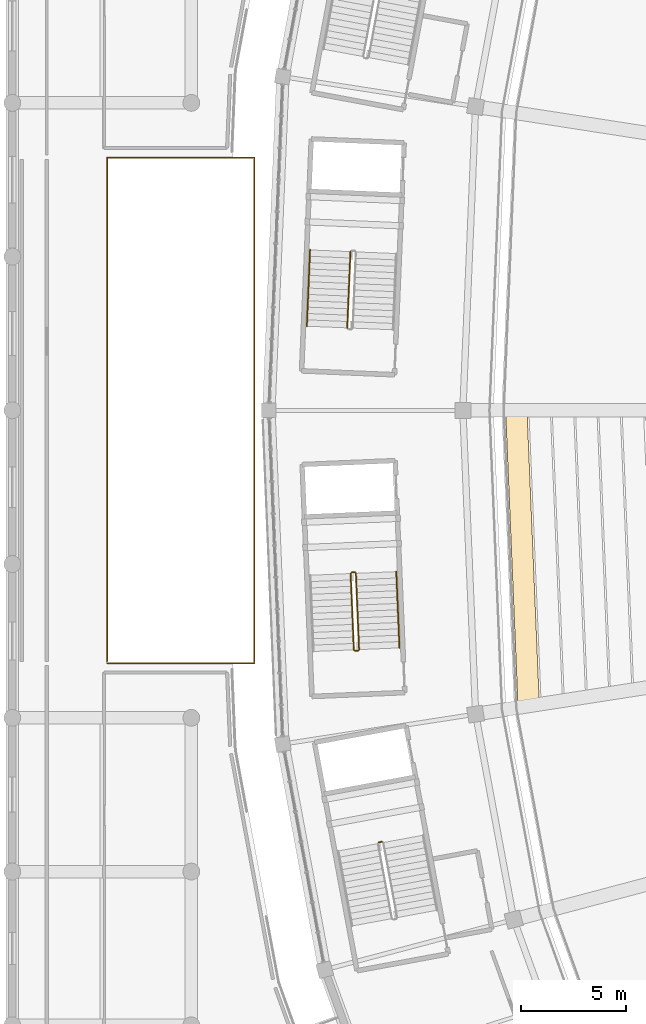
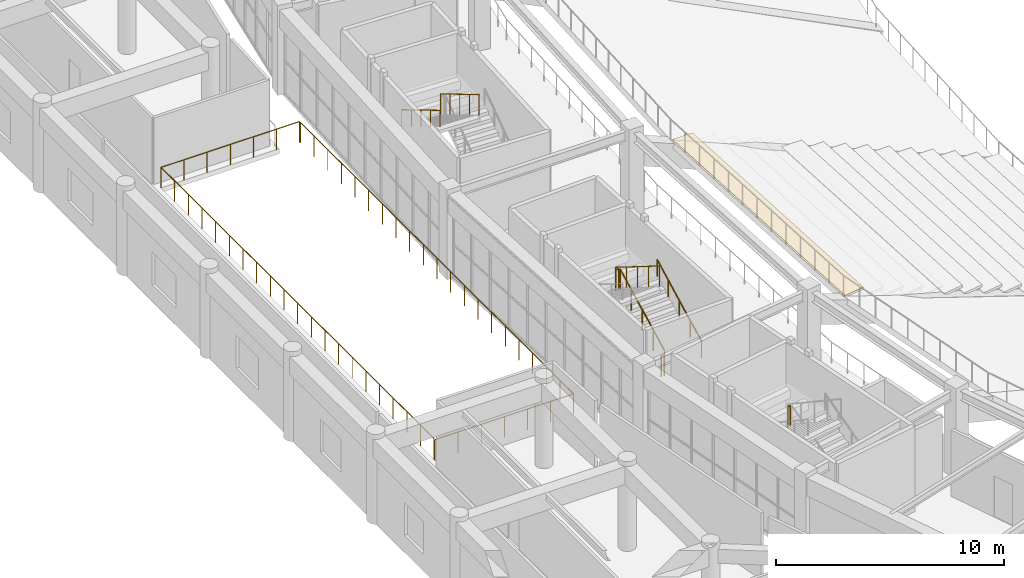
# One storey, part 118 of 137: 10 railings, 1 covering.
"""IFC4 building model written with IfcOpenShell, lengths in metres."""

from ifc_helpers import new_model, si_unit, direction, frame, origin, origin_2d, place, context, subcontext, project, spatial, polyline, circle, outline, extrude, material, layer, layer_set, type_object, element, save


model = new_model("IFC4")

# Units and contexts
model_context = context("Model", 3, precision=1e-05, world=origin(), true_north=direction((0.0, 1.0)))
body_context = subcontext(model_context, "Body", "Model", "MODEL_VIEW")
ifc_project = project(units=[si_unit("LENGTHUNIT", "METRE"), si_unit("AREAUNIT", "SQUARE_METRE"), si_unit("VOLUMEUNIT", "CUBIC_METRE"), si_unit("PLANEANGLEUNIT", "RADIAN"), si_unit("MASSUNIT", "GRAM", prefix="KILO")], contexts=[model_context])

# Site, building, storey
site_placement = place(None, origin())
site = spatial("IfcSite", under=ifc_project, at=site_placement, CompositionType="ELEMENT")
building_placement = place(site_placement, origin())
building = spatial("IfcBuilding", under=site, at=building_placement, Name="Mphavela Belvedere Stadium", CompositionType="ELEMENT")
storey_placement = place(building_placement, frame((0.0, 0.0, 19.199951171875)))
storey = spatial("IfcBuildingStorey", under=building, at=storey_placement, Name="L04", CompositionType="ELEMENT", Elevation=19.199951171875)

# Covering
ifc_material_1 = material(Name="Precast seating row terrazzo finish", Category="concrete")
ifc_layer = layer(ifc_material_1, 0.1201171875)
ifc_layer_set = layer_set([ifc_layer], Name="Precast seating row terrazzo finish")
covering_type = type_object("IfcCoveringType", Name="COV-SEAT-ROW-U", PredefinedType="FLOORING", material=ifc_layer_set)
covering_placement = place(storey_placement, frame((0.0, 0.0, 3.130126953125)))
element("IfcCovering", 1, at=covering_placement, inside=storey, type_object=covering_type, Name="Upper stand seating row bench B25-R15", PredefinedType="FLOORING", context=body_context, shape_type="SweptSolid", body=[
    extrude(outline(polyline([(24.44091796875, 87.0), (25.026123046875, 73.04443359375), (24.015380859375, 72.8876953125), (23.423583984375, 87.0), (24.44091796875, 87.0)])), origin(), (0.0, 0.0, 1.0), 0.119873046875),
])

# Railings
ifc_material_2 = material(Name="Bronze and laminated glass stadium balustrade", Category="glass")
railing_type_1 = type_object("IfcRailingType", Name="RAL-BALUSTRADE-1120", PredefinedType="BALUSTRADE", material=ifc_material_2)
railing_1_placement = place(storey_placement, frame((4.5, 75.0, 0.0)))
element("IfcRailing", 2, at=railing_1_placement, inside=storey, type_object=railing_type_1, Name="West Planted Eaves Peristyle Colonnade court balustrade L04-A", PredefinedType="BALUSTRADE", context=body_context, shape_type="SweptSolid", body=[
    extrude(circle(Radius=0.02392578125, at=origin_2d()), frame((0.0, 0.0, 1.09619140625), z_axis=(1.0, 0.0, 0.0), x_axis=(0.0, 1.0, 0.0)), (0.0, 0.0, 1.0), 7.0),
    extrude(circle(Radius=0.02392578125, at=origin_2d()), frame((7.0, 0.0, 1.09619140625), z_axis=(0.0, 1.0, 0.0), x_axis=(-1.0, 0.0, 0.0)), (0.0, 0.0, 1.0), 23.919921875),
    extrude(circle(Radius=0.02099609375, at=origin_2d()), origin(), (0.0, 0.0, 1.0), 1.072021484375),
    extrude(circle(Radius=0.02099609375, at=origin_2d()), frame((1.166748046875, 0.0, 0.0)), (0.0, 0.0, 1.0), 1.072021484375),
    extrude(circle(Radius=0.02099609375, at=origin_2d()), frame((2.333251953125, 0.0, 0.0)), (0.0, 0.0, 1.0), 1.072021484375),
    extrude(circle(Radius=0.02099609375, at=origin_2d()), frame((3.5, 0.0, 0.0)), (0.0, 0.0, 1.0), 1.072021484375),
    extrude(circle(Radius=0.02099609375, at=origin_2d()), frame((4.666748046875, 0.0, 0.0)), (0.0, 0.0, 1.0), 1.072021484375),
    extrude(circle(Radius=0.02099609375, at=origin_2d()), frame((5.833251953125, 0.0, 0.0)), (0.0, 0.0, 1.0), 1.072021484375),
    extrude(circle(Radius=0.02099609375, at=origin_2d()), frame((7.0, 0.0, 0.0)), (0.0, 0.0, 1.0), 1.072021484375),
    extrude(circle(Radius=0.02099609375, at=origin_2d()), frame((7.0, 1.196044921875, 0.0)), (0.0, 0.0, 1.0), 1.072021484375),
    extrude(circle(Radius=0.02099609375, at=origin_2d()), frame((7.0, 2.39208984375, 0.0)), (0.0, 0.0, 1.0), 1.072021484375),
    extrude(circle(Radius=0.02099609375, at=origin_2d()), frame((7.0, 3.587890625, 0.0)), (0.0, 0.0, 1.0), 1.072021484375),
    extrude(circle(Radius=0.02099609375, at=origin_2d()), frame((7.0, 4.783935546875, 0.0)), (0.0, 0.0, 1.0), 1.072021484375),
    extrude(circle(Radius=0.02099609375, at=origin_2d()), frame((7.0, 5.97998046875, 0.0)), (0.0, 0.0, 1.0), 1.072021484375),
    extrude(circle(Radius=0.02099609375, at=origin_2d()), frame((7.0, 7.176025390625, 0.0)), (0.0, 0.0, 1.0), 1.072021484375),
    extrude(circle(Radius=0.02099609375, at=origin_2d()), frame((7.0, 8.3720703125, 0.0)), (0.0, 0.0, 1.0), 1.072021484375),
    extrude(circle(Radius=0.02099609375, at=origin_2d()), frame((7.0, 9.56787109375, 0.0)), (0.0, 0.0, 1.0), 1.072021484375),
    extrude(circle(Radius=0.02099609375, at=origin_2d()), frame((7.0, 10.763916015625, 0.0)), (0.0, 0.0, 1.0), 1.072021484375),
    extrude(circle(Radius=0.02099609375, at=origin_2d()), frame((7.0, 11.9599609375, 0.0)), (0.0, 0.0, 1.0), 1.072021484375),
    extrude(circle(Radius=0.02099609375, at=origin_2d()), frame((7.0, 13.156005859375, 0.0)), (0.0, 0.0, 1.0), 1.072021484375),
    extrude(circle(Radius=0.02099609375, at=origin_2d()), frame((7.0, 14.35205078125, 0.0)), (0.0, 0.0, 1.0), 1.072021484375),
    extrude(circle(Radius=0.02099609375, at=origin_2d()), frame((7.0, 15.5478515625, 0.0)), (0.0, 0.0, 1.0), 1.072021484375),
    extrude(circle(Radius=0.02099609375, at=origin_2d()), frame((7.0, 16.743896484375, 0.0)), (0.0, 0.0, 1.0), 1.072021484375),
    extrude(circle(Radius=0.02099609375, at=origin_2d()), frame((7.0, 17.93994140625, 0.0)), (0.0, 0.0, 1.0), 1.072021484375),
    extrude(circle(Radius=0.02099609375, at=origin_2d()), frame((7.0, 19.135986328125, 0.0)), (0.0, 0.0, 1.0), 1.072021484375),
    extrude(circle(Radius=0.02099609375, at=origin_2d()), frame((7.0, 20.33203125, 0.0)), (0.0, 0.0, 1.0), 1.072021484375),
    extrude(circle(Radius=0.02099609375, at=origin_2d()), frame((7.0, 21.52783203125, 0.0)), (0.0, 0.0, 1.0), 1.072021484375),
    extrude(circle(Radius=0.02099609375, at=origin_2d()), frame((7.0, 22.723876953125, 0.0)), (0.0, 0.0, 1.0), 1.072021484375),
    extrude(circle(Radius=0.02099609375, at=origin_2d()), frame((7.0, 23.919921875, 0.0)), (0.0, 0.0, 1.0), 1.072021484375),
])
railing_2_placement = place(storey_placement, frame((11.5, 99.0, 0.0)))
element("IfcRailing", 3, at=railing_2_placement, inside=storey, type_object=railing_type_1, Name="West Planted Eaves Peristyle Colonnade court balustrade L04-B", PredefinedType="BALUSTRADE", context=body_context, shape_type="SweptSolid", body=[
    extrude(circle(Radius=0.02392578125, at=origin_2d()), frame((0.0, 0.0, 1.09619140625), z_axis=(-1.0, 0.0, 0.0), x_axis=(0.0, -1.0, 0.0)), (0.0, 0.0, 1.0), 7.0),
    extrude(circle(Radius=0.02392578125, at=origin_2d()), frame((-7.0, 0.0, 1.09619140625), z_axis=(0.0, -1.0, 0.0), x_axis=(1.0, 0.0, 0.0)), (0.0, 0.0, 1.0), 23.919921875),
    extrude(circle(Radius=0.02099609375, at=origin_2d()), origin(), (0.0, 0.0, 1.0), 1.072021484375),
    extrude(circle(Radius=0.02099609375, at=origin_2d()), frame((-1.166748046875, 0.0, 0.0)), (0.0, 0.0, 1.0), 1.072021484375),
    extrude(circle(Radius=0.02099609375, at=origin_2d()), frame((-2.333251953125, 0.0, 0.0)), (0.0, 0.0, 1.0), 1.072021484375),
    extrude(circle(Radius=0.02099609375, at=origin_2d()), frame((-3.5, 0.0, 0.0)), (0.0, 0.0, 1.0), 1.072021484375),
    extrude(circle(Radius=0.02099609375, at=origin_2d()), frame((-4.666748046875, 0.0, 0.0)), (0.0, 0.0, 1.0), 1.072021484375),
    extrude(circle(Radius=0.02099609375, at=origin_2d()), frame((-5.833251953125, 0.0, 0.0)), (0.0, 0.0, 1.0), 1.072021484375),
    extrude(circle(Radius=0.02099609375, at=origin_2d()), frame((-7.0, 0.0, 0.0)), (0.0, 0.0, 1.0), 1.072021484375),
    extrude(circle(Radius=0.02099609375, at=origin_2d()), frame((-7.0, -1.196044921875, 0.0)), (0.0, 0.0, 1.0), 1.072021484375),
    extrude(circle(Radius=0.02099609375, at=origin_2d()), frame((-7.0, -2.39208984375, 0.0)), (0.0, 0.0, 1.0), 1.072021484375),
    extrude(circle(Radius=0.02099609375, at=origin_2d()), frame((-7.0, -3.587890625, 0.0)), (0.0, 0.0, 1.0), 1.072021484375),
    extrude(circle(Radius=0.02099609375, at=origin_2d()), frame((-7.0, -4.783935546875, 0.0)), (0.0, 0.0, 1.0), 1.072021484375),
    extrude(circle(Radius=0.02099609375, at=origin_2d()), frame((-7.0, -5.97998046875, 0.0)), (0.0, 0.0, 1.0), 1.072021484375),
    extrude(circle(Radius=0.02099609375, at=origin_2d()), frame((-7.0, -7.176025390625, 0.0)), (0.0, 0.0, 1.0), 1.072021484375),
    extrude(circle(Radius=0.02099609375, at=origin_2d()), frame((-7.0, -8.3720703125, 0.0)), (0.0, 0.0, 1.0), 1.072021484375),
    extrude(circle(Radius=0.02099609375, at=origin_2d()), frame((-7.0, -9.56787109375, 0.0)), (0.0, 0.0, 1.0), 1.072021484375),
    extrude(circle(Radius=0.02099609375, at=origin_2d()), frame((-7.0, -10.763916015625, 0.0)), (0.0, 0.0, 1.0), 1.072021484375),
    extrude(circle(Radius=0.02099609375, at=origin_2d()), frame((-7.0, -11.9599609375, 0.0)), (0.0, 0.0, 1.0), 1.072021484375),
    extrude(circle(Radius=0.02099609375, at=origin_2d()), frame((-7.0, -13.156005859375, 0.0)), (0.0, 0.0, 1.0), 1.072021484375),
    extrude(circle(Radius=0.02099609375, at=origin_2d()), frame((-7.0, -14.35205078125, 0.0)), (0.0, 0.0, 1.0), 1.072021484375),
    extrude(circle(Radius=0.02099609375, at=origin_2d()), frame((-7.0, -15.5478515625, 0.0)), (0.0, 0.0, 1.0), 1.072021484375),
    extrude(circle(Radius=0.02099609375, at=origin_2d()), frame((-7.0, -16.743896484375, 0.0)), (0.0, 0.0, 1.0), 1.072021484375),
    extrude(circle(Radius=0.02099609375, at=origin_2d()), frame((-7.0, -17.93994140625, 0.0)), (0.0, 0.0, 1.0), 1.072021484375),
    extrude(circle(Radius=0.02099609375, at=origin_2d()), frame((-7.0, -19.135986328125, 0.0)), (0.0, 0.0, 1.0), 1.072021484375),
    extrude(circle(Radius=0.02099609375, at=origin_2d()), frame((-7.0, -20.33203125, 0.0)), (0.0, 0.0, 1.0), 1.072021484375),
    extrude(circle(Radius=0.02099609375, at=origin_2d()), frame((-7.0, -21.52783203125, 0.0)), (0.0, 0.0, 1.0), 1.072021484375),
    extrude(circle(Radius=0.02099609375, at=origin_2d()), frame((-7.0, -22.723876953125, 0.0)), (0.0, 0.0, 1.0), 1.072021484375),
    extrude(circle(Radius=0.02099609375, at=origin_2d()), frame((-7.0, -23.919921875, 0.0)), (0.0, 0.0, 1.0), 1.072021484375),
])
ifc_material_3 = material(Name="Painted galvanised steel stair guardrail", Category="steel")
railing_type_2 = type_object("IfcRailingType", Name="RAL-GUARD-1120", PredefinedType="GUARDRAIL", material=ifc_material_3)
railing_3_placement = place(storey_placement, frame((16.056640625, 94.537353515625, 2.584716796875)))
element("IfcRailing", 4, at=railing_3_placement, inside=storey, type_object=railing_type_2, Name="L04 ST-C07 stair guard 3", PredefinedType="GUARDRAIL", context=body_context, shape_type="SweptSolid", body=[
    extrude(circle(Radius=0.02392578125, at=origin_2d()), frame((0.0, 0.0, 1.09619140625), z_axis=(-0.035694272407, -0.852466592692, 0.521561719513), x_axis=(0.99912452908, -0.041835097604, 0.0)), (0.0, 0.0, 1.0), 4.24755859375),
    extrude(circle(Radius=0.02099609375, at=origin_2d()), origin(), (0.0, 0.0, 1.0), 1.072021484375),
    extrude(circle(Radius=0.02099609375, at=origin_2d()), frame((-0.037841796875, -0.9052734375, 0.5537109375)), (0.0, 0.0, 1.0), 1.072021484375),
    extrude(circle(Radius=0.02099609375, at=origin_2d()), frame((-0.07568359375, -1.810546875, 1.107666015625)), (0.0, 0.0, 1.0), 1.072021484375),
    extrude(circle(Radius=0.02099609375, at=origin_2d()), frame((-0.11376953125, -2.715576171875, 1.66162109375)), (0.0, 0.0, 1.0), 1.072021484375),
    extrude(circle(Radius=0.02099609375, at=origin_2d()), frame((-0.151611328125, -3.620849609375, 2.21533203125)), (0.0, 0.0, 1.0), 1.072021484375),
])
railing_4_placement = place(storey_placement, frame((16.467041015625, 75.640625, 0.1845703125)))
element("IfcRailing", 5, at=railing_4_placement, inside=storey, type_object=railing_type_2, Name="L04 ST-C08 stair guard 1", PredefinedType="GUARDRAIL", context=body_context, shape_type="SweptSolid", body=[
    extrude(circle(Radius=0.02392578125, at=origin_2d()), frame((0.0, 0.0, 1.09619140625), z_axis=(-0.035750605902, 0.852439286385, 0.521602489646), x_axis=(-0.999121710974, -0.041902346721, 0.0)), (0.0, 0.0, 1.0), 4.24755859375),
    extrude(circle(Radius=0.02099609375, at=origin_2d()), origin(), (0.0, 0.0, 1.0), 1.072021484375),
    extrude(circle(Radius=0.02099609375, at=origin_2d()), frame((-0.0380859375, 0.9052734375, 0.553955078125)), (0.0, 0.0, 1.0), 1.072021484375),
    extrude(circle(Radius=0.02099609375, at=origin_2d()), frame((-0.075927734375, 1.810546875, 1.10791015625)), (0.0, 0.0, 1.0), 1.072021484375),
    extrude(circle(Radius=0.02099609375, at=origin_2d()), frame((-0.11376953125, 2.715576171875, 1.66162109375)), (0.0, 0.0, 1.0), 1.072021484375),
    extrude(circle(Radius=0.02099609375, at=origin_2d()), frame((-0.15185546875, 3.620849609375, 2.215576171875)), (0.0, 0.0, 1.0), 1.072021484375),
])
railing_5_placement = place(storey_placement, frame((16.26318359375, 79.309326171875, 2.400146484375)))
element("IfcRailing", 6, at=railing_5_placement, inside=storey, type_object=railing_type_2, Name="L04 ST-C08 stair guard 2", PredefinedType="GUARDRAIL", context=body_context, shape_type="SweptSolid", body=[
    extrude(circle(Radius=0.02392578125, at=origin_2d()), frame((0.0, 0.0, 1.09619140625), z_axis=(-0.999104642697, -0.04230736272, 0.0), x_axis=(0.04230736272, -0.999104642697, 0.0)), (0.0, 0.0, 1.0), 0.150146484375),
    extrude(circle(Radius=0.02099609375, at=origin_2d()), origin(), (0.0, 0.0, 1.0), 1.072021484375),
    extrude(circle(Radius=0.02099609375, at=origin_2d()), frame((-0.14990234375, -0.00634765625, 0.0)), (0.0, 0.0, 1.0), 1.072021484375),
])
railing_6_placement = place(storey_placement, frame((16.0654296875, 79.2509765625, 2.584716796875)))
element("IfcRailing", 7, at=railing_6_placement, inside=storey, type_object=railing_type_2, Name="L04 ST-C08 stair guard 3", PredefinedType="GUARDRAIL", context=body_context, shape_type="SweptSolid", body=[
    extrude(circle(Radius=0.02392578125, at=origin_2d()), frame((0.0, 0.0, 1.09619140625), z_axis=(0.035751677697, -0.852464842318, 0.521560648587), x_axis=(0.999121710974, 0.041902346721, 0.0)), (0.0, 0.0, 1.0), 4.24755859375),
    extrude(circle(Radius=0.02099609375, at=origin_2d()), origin(), (0.0, 0.0, 1.0), 1.072021484375),
    extrude(circle(Radius=0.02099609375, at=origin_2d()), frame((0.0380859375, -0.9052734375, 0.5537109375)), (0.0, 0.0, 1.0), 1.072021484375),
    extrude(circle(Radius=0.02099609375, at=origin_2d()), frame((0.075927734375, -1.810546875, 1.107666015625)), (0.0, 0.0, 1.0), 1.072021484375),
    extrude(circle(Radius=0.02099609375, at=origin_2d()), frame((0.11376953125, -2.715576171875, 1.66162109375)), (0.0, 0.0, 1.0), 1.072021484375),
    extrude(circle(Radius=0.02099609375, at=origin_2d()), frame((0.15185546875, -3.620849609375, 2.21533203125)), (0.0, 0.0, 1.0), 1.072021484375),
])
railing_7_placement = place(storey_placement, frame((16.419189453125, 75.58837890625, 0.0)))
element("IfcRailing", 8, at=railing_7_placement, inside=storey, type_object=railing_type_2, Name="L04 ST-C08 stair guard 4", PredefinedType="GUARDRAIL", context=body_context, shape_type="SweptSolid", body=[
    extrude(circle(Radius=0.02392578125, at=origin_2d()), frame((0.0, 0.0, 1.09619140625), z_axis=(-0.999172107982, -0.040682903419, 0.0), x_axis=(0.040682903419, -0.999172107982, 0.0)), (0.0, 0.0, 1.0), 0.150146484375),
    extrude(circle(Radius=0.02099609375, at=origin_2d()), origin(), (0.0, 0.0, 1.0), 1.072021484375),
    extrude(circle(Radius=0.02099609375, at=origin_2d()), frame((-0.14990234375, -0.006103515625, 0.0)), (0.0, 0.0, 1.0), 1.072021484375),
])
railing_8_placement = place(storey_placement, frame((17.550048828125, 66.5146484375, 2.400146484375)))
element("IfcRailing", 9, at=railing_8_placement, inside=storey, type_object=railing_type_2, Name="L04 ST-C09 stair guard 2", PredefinedType="GUARDRAIL", context=body_context, shape_type="SweptSolid", body=[
    extrude(circle(Radius=0.02392578125, at=origin_2d()), frame((0.0, 0.0, 1.09619140625), z_axis=(-0.983238797529, -0.182322426032, 0.0), x_axis=(0.182322426032, -0.983238797529, 0.0)), (0.0, 0.0, 1.0), 0.14990234375),
    extrude(circle(Radius=0.02099609375, at=origin_2d()), origin(), (0.0, 0.0, 1.0), 1.072021484375),
    extrude(circle(Radius=0.02099609375, at=origin_2d()), frame((-0.1474609375, -0.02734375, 0.0)), (0.0, 0.0, 1.0), 1.072021484375),
])
ifc_material_4 = material(Name="Brushed stainless steel tubular handrail", Category="steel")
railing_type_3 = type_object("IfcRailingType", Name="RAL-HANDRAIL-900", PredefinedType="HANDRAIL", material=ifc_material_4)
railing_9_placement = place(storey_placement, frame((14.138427734375, 94.61767578125, 2.584716796875)))
element("IfcRailing", 10, at=railing_9_placement, inside=storey, type_object=railing_type_3, Name="L04 ST-C07 stair handrail 2", PredefinedType="HANDRAIL", context=body_context, shape_type="SweptSolid", body=[
    extrude(circle(Radius=0.02392578125, at=origin_2d()), frame((0.0, 0.0, 0.8759765625), z_axis=(-0.035751677697, -0.852464842318, 0.521560648587), x_axis=(0.999121710974, -0.041902346721, 0.0)), (0.0, 0.0, 1.0), 4.24755859375),
    extrude(circle(Radius=0.02099609375, at=origin_2d()), origin(), (0.0, 0.0, 1.0), 0.851806640625),
    extrude(circle(Radius=0.02099609375, at=origin_2d()), frame((-0.0380859375, -0.9052734375, 0.5537109375)), (0.0, 0.0, 1.0), 0.851806640625),
    extrude(circle(Radius=0.02099609375, at=origin_2d()), frame((-0.075927734375, -1.810546875, 1.107666015625)), (0.0, 0.0, 1.0), 0.851806640625),
    extrude(circle(Radius=0.02099609375, at=origin_2d()), frame((-0.11376953125, -2.715576171875, 1.66162109375)), (0.0, 0.0, 1.0), 0.851806640625),
    extrude(circle(Radius=0.02099609375, at=origin_2d()), frame((-0.15185546875, -3.620849609375, 2.21533203125)), (0.0, 0.0, 1.0), 0.851806640625),
])
railing_10_placement = place(storey_placement, frame((18.38525390625, 75.720947265625, 0.1845703125)))
element("IfcRailing", 11, at=railing_10_placement, inside=storey, type_object=railing_type_3, Name="L04 ST-C08 stair handrail 1", PredefinedType="HANDRAIL", context=body_context, shape_type="SweptSolid", body=[
    extrude(circle(Radius=0.02392578125, at=origin_2d()), frame((0.0, 0.0, 0.8759765625), z_axis=(-0.035693202328, 0.852441036602, 0.521603560594), x_axis=(-0.99912452908, -0.041835097604, 0.0)), (0.0, 0.0, 1.0), 4.24755859375),
    extrude(circle(Radius=0.02099609375, at=origin_2d()), origin(), (0.0, 0.0, 1.0), 0.851806640625),
    extrude(circle(Radius=0.02099609375, at=origin_2d()), frame((-0.037841796875, 0.9052734375, 0.553955078125)), (0.0, 0.0, 1.0), 0.851806640625),
    extrude(circle(Radius=0.02099609375, at=origin_2d()), frame((-0.07568359375, 1.810546875, 1.10791015625)), (0.0, 0.0, 1.0), 0.851806640625),
    extrude(circle(Radius=0.02099609375, at=origin_2d()), frame((-0.11376953125, 2.715576171875, 1.66162109375)), (0.0, 0.0, 1.0), 0.851806640625),
    extrude(circle(Radius=0.02099609375, at=origin_2d()), frame((-0.151611328125, 3.620849609375, 2.215576171875)), (0.0, 0.0, 1.0), 0.851806640625),
])

save(model, "model.ifc")
